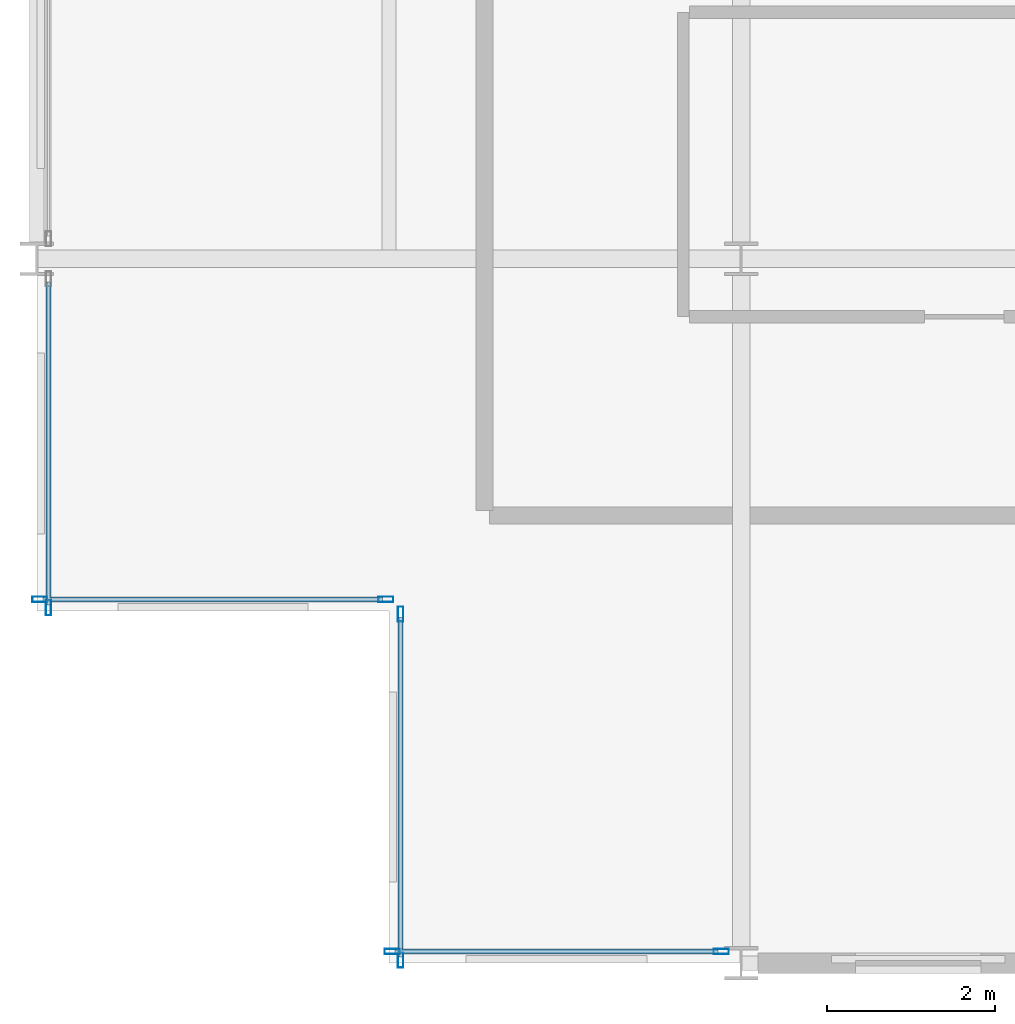
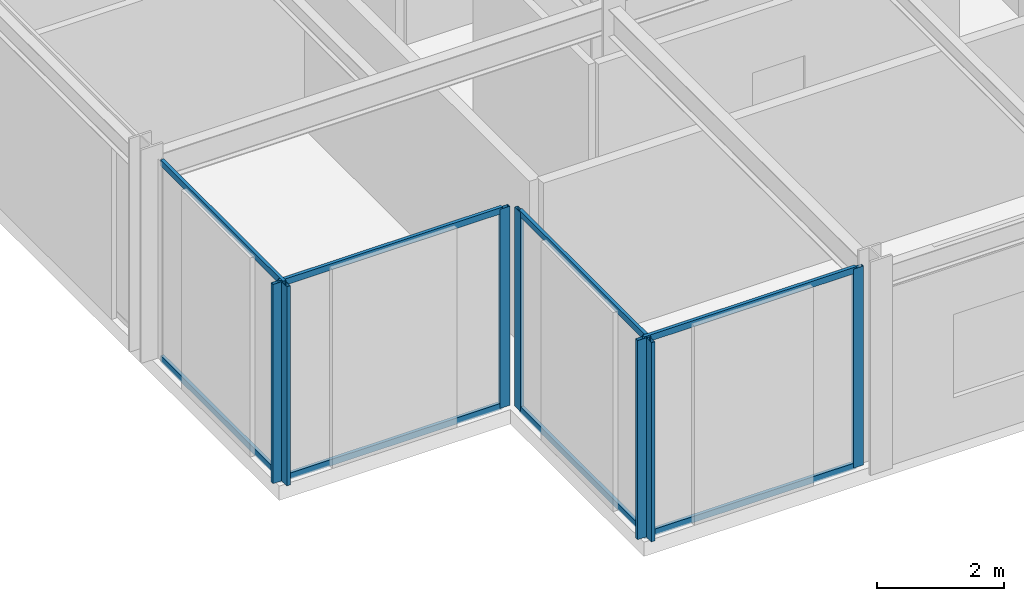
# One storey, part 2 of 29: 15 members, 4 elements without a shape of their own.
"""IFC4 building model written with IfcOpenShell, lengths in metres."""

from ifc_helpers import new_model, si_unit, direction, frame, origin, origin_2d, place, context, subcontext, project, spatial, hollow_rectangle, extrude, material, layer, layer_set, material_profile, profile_set, type_object, element, aggregate, save


model = new_model("IFC4")

# Units and contexts
model_context = context("Model", 3, precision=1e-05, world=origin(), true_north=direction((0.0, 1.0)))
body_context = subcontext(model_context, "Body", "Model", "MODEL_VIEW")
ifc_project = project(units=[si_unit("LENGTHUNIT", "METRE"), si_unit("AREAUNIT", "SQUARE_METRE"), si_unit("VOLUMEUNIT", "CUBIC_METRE"), si_unit("PLANEANGLEUNIT", "RADIAN"), si_unit("MASSUNIT", "GRAM", prefix="KILO")], contexts=[model_context])

# Site, building, storey
site_placement = place(None, origin())
site = spatial("IfcSite", under=ifc_project, at=site_placement, CompositionType="ELEMENT")
building_placement = place(site_placement, origin())
building = spatial("IfcBuilding", under=site, at=building_placement, Name="Nerrivon Quay Data Exchange", CompositionType="ELEMENT")
storey_placement = place(building_placement, frame((0.0, 0.0, 137.699951171875)))
storey = spatial("IfcBuildingStorey", under=building, at=storey_placement, Name="L32", CompositionType="ELEMENT", Elevation=137.699951171875)

# Curtain wall, members
ifc_material = material(Name="Anodised aluminium 6063-T6", Category="aluminium")
ifc_layer = layer(ifc_material, 0.2099609375)
ifc_layer_set = layer_set([ifc_layer], Name="Anodised aluminium 6063-T6")
curtain_wall_type = type_object("IfcCurtainWallType", Name="CW-SYS-02", PredefinedType="NOTDEFINED", material=ifc_layer_set)
curtain_wall_1_placement = place(storey_placement, origin())
curtain_wall_1 = element("IfcCurtainWall", 1, at=curtain_wall_1_placement, inside=storey, type_object=curtain_wall_type, Name="L32 Unitised Curtain Wall 8", PredefinedType="NOTDEFINED")
ifc_material_profile_1 = material_profile(ifc_material, hollow_rectangle(XDim=0.06494140625, YDim=0.179931640625, WallThickness=0.00341796875, at=origin_2d()), Name="ALU-MULL-180x65")
ifc_profile_set_1 = profile_set([ifc_material_profile_1], Name="Anodised aluminium 6063-T6")
member_type_1 = type_object("IfcMemberType", Name="CWM-180x65", PredefinedType="MULLION", material=ifc_profile_set_1)
member_1_placement = place(storey_placement, frame((8.16259765625, 0.139892578125, 0.0), z_axis=(0.0, 0.0, 1.0), x_axis=(0.0, -1.0, 0.0)))
member_1 = element("IfcMember", 2, at=member_1_placement, type_object=member_type_1, Name="CW02 mullion 1", PredefinedType="MULLION", context=body_context, shape_type="SweptSolid", body=[
    extrude(hollow_rectangle(XDim=0.06494140625, YDim=0.179931640625, WallThickness=0.00341796875, at=origin_2d()), origin(), (0.0, 0.0, 1.0), 3.824951171875),
])
member_2_placement = place(storey_placement, frame((4.237548828125, 0.139892578125, 0.0), z_axis=(0.0, 0.0, 1.0), x_axis=(0.0, -1.0, 0.0)))
member_2 = element("IfcMember", 3, at=member_2_placement, type_object=member_type_1, Name="CW02 mullion 2", PredefinedType="MULLION", context=body_context, shape_type="SweptSolid", body=[
    extrude(hollow_rectangle(XDim=0.06494140625, YDim=0.179931640625, WallThickness=0.00341796875, at=origin_2d()), origin(), (0.0, 0.0, 1.0), 3.824951171875),
])

curtain_wall_2_placement = place(storey_placement, origin())
curtain_wall_2 = element("IfcCurtainWall", 4, at=curtain_wall_2_placement, inside=storey, type_object=curtain_wall_type, Name="L32 Unitised Curtain Wall 9", PredefinedType="NOTDEFINED")
member_3_placement = place(storey_placement, frame((4.340087890625, 0.03759765625, 0.0), z_axis=(0.0, 0.0, 1.0), x_axis=(-1.0, 0.0, 0.0)))
member_3 = element("IfcMember", 5, at=member_3_placement, type_object=member_type_1, Name="CW02 mullion 1", PredefinedType="MULLION", context=body_context, shape_type="SweptSolid", body=[
    extrude(hollow_rectangle(XDim=0.06494140625, YDim=0.179931640625, WallThickness=0.00341796875, at=origin_2d()), origin(), (0.0, 0.0, 1.0), 3.824951171875),
])
member_4_placement = place(storey_placement, frame((4.340087890625, 4.16259765625, 0.0), z_axis=(0.0, 0.0, 1.0), x_axis=(-1.0, 0.0, 0.0)))
member_4 = element("IfcMember", 6, at=member_4_placement, type_object=member_type_1, Name="CW02 mullion 2", PredefinedType="MULLION", context=body_context, shape_type="SweptSolid", body=[
    extrude(hollow_rectangle(XDim=0.06494140625, YDim=0.179931640625, WallThickness=0.00341796875, at=origin_2d()), origin(), (0.0, 0.0, 1.0), 3.824951171875),
])

curtain_wall_3_placement = place(storey_placement, origin())
curtain_wall_3 = element("IfcCurtainWall", 7, at=curtain_wall_3_placement, inside=storey, type_object=curtain_wall_type, Name="L32 Unitised Curtain Wall 10", PredefinedType="NOTDEFINED")
member_5_placement = place(storey_placement, frame((4.16259765625, 4.340087890625, 0.0), z_axis=(0.0, 0.0, 1.0), x_axis=(0.0, -1.0, 0.0)))
member_5 = element("IfcMember", 8, at=member_5_placement, type_object=member_type_1, Name="CW02 mullion 1", PredefinedType="MULLION", context=body_context, shape_type="SweptSolid", body=[
    extrude(hollow_rectangle(XDim=0.06494140625, YDim=0.179931640625, WallThickness=0.00341796875, at=origin_2d()), origin(), (0.0, 0.0, 1.0), 3.824951171875),
])
member_6_placement = place(storey_placement, frame((0.03759765625, 4.340087890625, 0.0), z_axis=(0.0, 0.0, 1.0), x_axis=(0.0, -1.0, 0.0)))
member_6 = element("IfcMember", 9, at=member_6_placement, type_object=member_type_1, Name="CW02 mullion 2", PredefinedType="MULLION", context=body_context, shape_type="SweptSolid", body=[
    extrude(hollow_rectangle(XDim=0.06494140625, YDim=0.179931640625, WallThickness=0.00341796875, at=origin_2d()), origin(), (0.0, 0.0, 1.0), 3.824951171875),
])

# Curtain wall, member
curtain_wall_4_placement = place(storey_placement, origin())
curtain_wall_4 = element("IfcCurtainWall", 10, at=curtain_wall_4_placement, inside=storey, type_object=curtain_wall_type, Name="L32 Unitised Curtain Wall 11", PredefinedType="NOTDEFINED")
member_7_placement = place(storey_placement, frame((0.139892578125, 4.237548828125, 0.0), z_axis=(0.0, 0.0, 1.0), x_axis=(-1.0, 0.0, 0.0)))
member_7 = element("IfcMember", 11, at=member_7_placement, type_object=member_type_1, Name="CW02 mullion 1", PredefinedType="MULLION", context=body_context, shape_type="SweptSolid", body=[
    extrude(hollow_rectangle(XDim=0.06494140625, YDim=0.179931640625, WallThickness=0.00341796875, at=origin_2d()), origin(), (0.0, 0.0, 1.0), 3.824951171875),
])

# Member
ifc_material_profile_2 = material_profile(ifc_material, hollow_rectangle(XDim=0.06005859375, YDim=0.1201171875, WallThickness=0.003173828125, at=origin_2d()), Name="ALU-TRAN-120x60")
ifc_profile_set_2 = profile_set([ifc_material_profile_2], Name="Anodised aluminium 6063-T6")
member_type_2 = type_object("IfcMemberType", Name="CWT-120x60", PredefinedType="USERDEFINED", material=ifc_profile_set_2)
member_8_placement = place(storey_placement, frame((8.125, 0.139892578125, 0.032470703125), z_axis=(-1.0, 0.0, 0.0), x_axis=(0.0, -1.0, 0.0)))
member_8 = element("IfcMember", 12, at=member_8_placement, type_object=member_type_2, Name="CW02 transom 1.1", ObjectType="TRANSOM", PredefinedType="USERDEFINED", context=body_context, shape_type="SweptSolid", body=[
    extrude(hollow_rectangle(XDim=0.06005859375, YDim=0.1201171875, WallThickness=0.003173828125, at=origin_2d()), origin(), (0.0, 0.0, 1.0), 3.85009765625),
])

member_9_placement = place(storey_placement, frame((8.125, 0.139892578125, 3.79248046875), z_axis=(-1.0, 0.0, 0.0), x_axis=(0.0, -1.0, 0.0)))
member_9 = element("IfcMember", 13, at=member_9_placement, type_object=member_type_2, Name="CW02 transom 1.2", ObjectType="TRANSOM", PredefinedType="USERDEFINED", context=body_context, shape_type="SweptSolid", body=[
    extrude(hollow_rectangle(XDim=0.06005859375, YDim=0.1201171875, WallThickness=0.003173828125, at=origin_2d()), origin(), (0.0, 0.0, 1.0), 3.85009765625),
])

aggregate(curtain_wall_1, [member_1, member_2, member_8, member_9])

member_10_placement = place(storey_placement, frame((4.340087890625, 0.074951171875, 0.032470703125), z_axis=(0.0, 1.0, 0.0), x_axis=(-1.0, 0.0, 0.0)))
member_10 = element("IfcMember", 14, at=member_10_placement, type_object=member_type_2, Name="CW02 transom 1.1", ObjectType="TRANSOM", PredefinedType="USERDEFINED", context=body_context, shape_type="SweptSolid", body=[
    extrude(hollow_rectangle(XDim=0.06005859375, YDim=0.1201171875, WallThickness=0.003173828125, at=origin_2d()), origin(), (0.0, 0.0, 1.0), 4.050048828125),
])

member_11_placement = place(storey_placement, frame((4.340087890625, 0.074951171875, 3.79248046875), z_axis=(0.0, 1.0, 0.0), x_axis=(-1.0, 0.0, 0.0)))
member_11 = element("IfcMember", 15, at=member_11_placement, type_object=member_type_2, Name="CW02 transom 1.2", ObjectType="TRANSOM", PredefinedType="USERDEFINED", context=body_context, shape_type="SweptSolid", body=[
    extrude(hollow_rectangle(XDim=0.06005859375, YDim=0.1201171875, WallThickness=0.003173828125, at=origin_2d()), origin(), (0.0, 0.0, 1.0), 4.050048828125),
])

aggregate(curtain_wall_2, [member_3, member_4, member_10, member_11])

member_12_placement = place(storey_placement, frame((4.125, 4.340087890625, 0.032470703125), z_axis=(-1.0, 0.0, 0.0), x_axis=(0.0, -1.0, 0.0)))
member_12 = element("IfcMember", 16, at=member_12_placement, type_object=member_type_2, Name="CW02 transom 1.1", ObjectType="TRANSOM", PredefinedType="USERDEFINED", context=body_context, shape_type="SweptSolid", body=[
    extrude(hollow_rectangle(XDim=0.06005859375, YDim=0.1201171875, WallThickness=0.003173828125, at=origin_2d()), origin(), (0.0, 0.0, 1.0), 4.050048828125),
])

member_13_placement = place(storey_placement, frame((4.125, 4.340087890625, 3.79248046875), z_axis=(-1.0, 0.0, 0.0), x_axis=(0.0, -1.0, 0.0)))
member_13 = element("IfcMember", 17, at=member_13_placement, type_object=member_type_2, Name="CW02 transom 1.2", ObjectType="TRANSOM", PredefinedType="USERDEFINED", context=body_context, shape_type="SweptSolid", body=[
    extrude(hollow_rectangle(XDim=0.06005859375, YDim=0.1201171875, WallThickness=0.003173828125, at=origin_2d()), origin(), (0.0, 0.0, 1.0), 4.050048828125),
])

aggregate(curtain_wall_3, [member_5, member_6, member_12, member_13])

member_14_placement = place(storey_placement, frame((0.139892578125, 4.27490234375, 0.032470703125), z_axis=(0.0, 1.0, 0.0), x_axis=(-1.0, 0.0, 0.0)))
member_14 = element("IfcMember", 18, at=member_14_placement, type_object=member_type_2, Name="CW02 transom 1.1", ObjectType="TRANSOM", PredefinedType="USERDEFINED", context=body_context, shape_type="SweptSolid", body=[
    extrude(hollow_rectangle(XDim=0.06005859375, YDim=0.1201171875, WallThickness=0.003173828125, at=origin_2d()), origin(), (0.0, 0.0, 1.0), 3.85009765625),
])

member_15_placement = place(storey_placement, frame((0.139892578125, 4.27490234375, 3.79248046875), z_axis=(0.0, 1.0, 0.0), x_axis=(-1.0, 0.0, 0.0)))
member_15 = element("IfcMember", 19, at=member_15_placement, type_object=member_type_2, Name="CW02 transom 1.2", ObjectType="TRANSOM", PredefinedType="USERDEFINED", context=body_context, shape_type="SweptSolid", body=[
    extrude(hollow_rectangle(XDim=0.06005859375, YDim=0.1201171875, WallThickness=0.003173828125, at=origin_2d()), origin(), (0.0, 0.0, 1.0), 3.85009765625),
])

aggregate(curtain_wall_4, [member_7, member_14, member_15])

save(model, "model.ifc")
